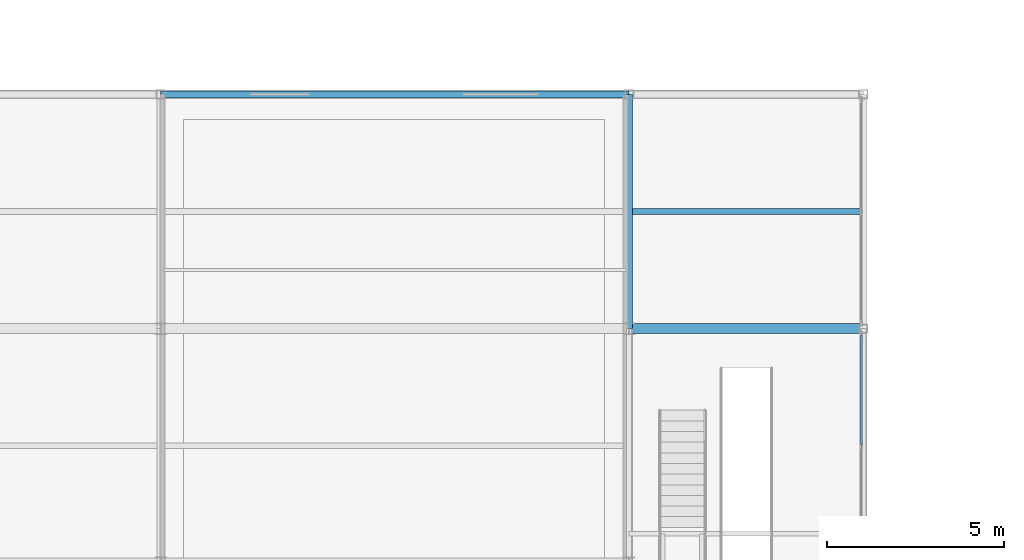
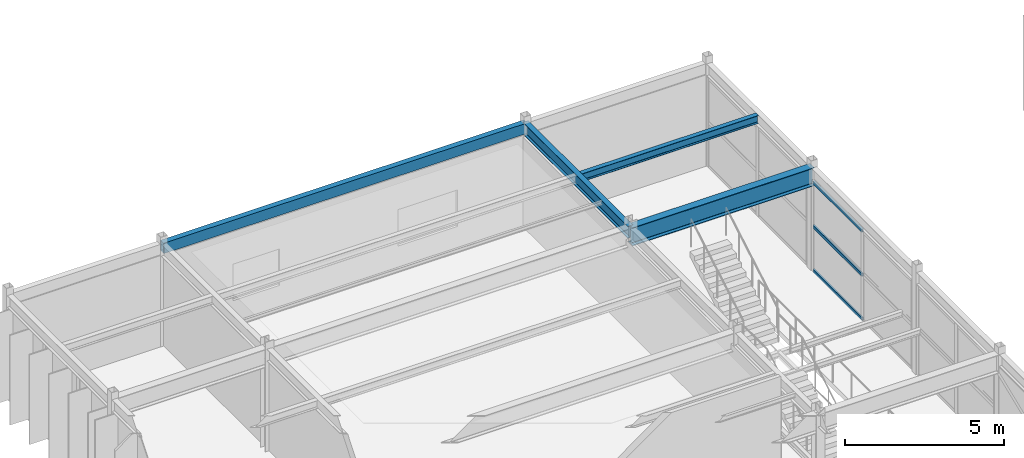
# One storey, part 70 of 148: 4 beams, 3 members, 1 element without a shape of its own.
"""IFC4 building model written with IfcOpenShell, lengths in metres."""

from ifc_helpers import new_model, si_unit, direction, frame, origin, origin_2d, place, context, subcontext, project, spatial, hollow_rectangle, i_section, extrude, material, material_profile, profile_set, type_object, element, aggregate, save


model = new_model("IFC4")

# Units and contexts
model_context = context("Model", 3, precision=1e-05, world=origin(), true_north=direction((0.0, 1.0)))
body_context = subcontext(model_context, "Body", "Model", "MODEL_VIEW")
ifc_project = project(units=[si_unit("LENGTHUNIT", "METRE"), si_unit("AREAUNIT", "SQUARE_METRE"), si_unit("VOLUMEUNIT", "CUBIC_METRE"), si_unit("PLANEANGLEUNIT", "RADIAN"), si_unit("MASSUNIT", "GRAM", prefix="KILO")], contexts=[model_context])

# Site, building, storey
site_placement = place(None, origin())
site = spatial("IfcSite", under=ifc_project, at=site_placement, CompositionType="ELEMENT")
building_placement = place(site_placement, origin())
building = spatial("IfcBuilding", under=site, at=building_placement, Name="Karori Crest Natural Sciences Institute", CompositionType="ELEMENT")
storey_placement = place(building_placement, frame((0.0, 0.0, 4.89990234375)))
storey = spatial("IfcBuildingStorey", under=building, at=storey_placement, Name="L01", CompositionType="ELEMENT", Elevation=4.89990234375)

# Beams
ifc_material_1 = material(Name="Structural steel AS/NZS 3679.1 Grade 350", Category="steel")
ifc_material_profile_1 = material_profile(ifc_material_1, i_section(OverallWidth=0.27490234375, OverallDepth=0.699951171875, WebThickness=0.010009765625, FlangeThickness=0.02001953125, FilletRadius=0.013916015625, at=origin_2d()), Name="700WB150")
ifc_profile_set_1 = profile_set([ifc_material_profile_1], Name="Structural steel AS/NZS 3679.1 Grade 350")
beam_type_1 = type_object("IfcBeamType", Name="BT-03", PredefinedType="BEAM", material=ifc_profile_set_1)
beam_1_placement = place(storey_placement, frame((20.60009765625, 66.800048828125, 3.570068359375), z_axis=(1.0, 0.0, 0.0), x_axis=(0.0, 1.0, 0.0)))
element("IfcBeam", 1, at=beam_1_placement, inside=storey, type_object=beam_type_1, Name="Beam B-1024", PredefinedType="BEAM", context=body_context, shape_type="SweptSolid", body=[
    extrude(i_section(OverallWidth=0.27490234375, OverallDepth=0.699951171875, WebThickness=0.010009765625, FlangeThickness=0.02001953125, FilletRadius=0.013916015625, at=origin_2d()), origin(), (0.0, 0.0, 1.0), 6.599853515625),
])
ifc_material_profile_2 = material_profile(ifc_material_1, i_section(OverallWidth=0.19091796875, OverallDepth=0.4599609375, WebThickness=0.010009765625, FlangeThickness=0.01611328125, FilletRadius=0.010986328125, at=origin_2d()), Name="460UB82.1")
ifc_profile_set_2 = profile_set([ifc_material_profile_2], Name="Structural steel AS/NZS 3679.1 Grade 350")
beam_type_2 = type_object("IfcBeamType", Name="BT-06", PredefinedType="BEAM", material=ifc_profile_set_2)
beam_2_placement = place(storey_placement, frame((20.60009765625, 66.800048828125, 3.690185546875), z_axis=(0.0, 1.0, 0.0), x_axis=(-1.0, 0.0, 0.0)))
element("IfcBeam", 2, at=beam_2_placement, inside=storey, type_object=beam_type_2, Name="Beam B-1048", PredefinedType="BEAM", context=body_context, shape_type="SweptSolid", body=[
    extrude(i_section(OverallWidth=0.19091796875, OverallDepth=0.4599609375, WebThickness=0.010009765625, FlangeThickness=0.01611328125, FilletRadius=0.010986328125, at=origin_2d()), origin(), (0.0, 0.0, 1.0), 6.599853515625),
])
ifc_material_profile_3 = material_profile(ifc_material_1, i_section(OverallWidth=0.166015625, OverallDepth=0.306884765625, WebThickness=0.006591796875, FlangeThickness=0.01171875, FilletRadius=0.010986328125, at=origin_2d()), Name="310UB46.2")
ifc_profile_set_3 = profile_set([ifc_material_profile_3], Name="Structural steel AS/NZS 3679.1 Grade 350")
beam_type_3 = type_object("IfcBeamType", Name="BT-09", PredefinedType="BEAM", material=ifc_profile_set_3)
beam_3_placement = place(storey_placement, frame((20.695556640625, 70.10009765625, 3.7666015625), z_axis=(1.0, 0.0, 0.0), x_axis=(0.0, 1.0, 0.0)))
element("IfcBeam", 3, at=beam_3_placement, inside=storey, type_object=beam_type_3, Name="Beam B-1075", PredefinedType="BEAM", context=body_context, shape_type="SweptSolid", body=[
    extrude(i_section(OverallWidth=0.166015625, OverallDepth=0.306884765625, WebThickness=0.006591796875, FlangeThickness=0.01171875, FilletRadius=0.010986328125, at=origin_2d()), origin(), (0.0, 0.0, 1.0), 6.408935546875),
])
ifc_material_2 = material(Name="Hollow structural steel AS/NZS 1163 Grade C350", Category="steel")
ifc_material_profile_4 = material_profile(ifc_material_2, hollow_rectangle(XDim=0.199951171875, YDim=0.39990234375, WallThickness=0.012451171875, at=origin_2d()), Name="RHS400x200x12.5")
ifc_profile_set_4 = profile_set([ifc_material_profile_4], Name="Hollow structural steel AS/NZS 1163 Grade C350")
beam_type_4 = type_object("IfcBeamType", Name="BT-14", PredefinedType="SPANDREL", material=ifc_profile_set_4)
beam_4_placement = place(storey_placement, frame((7.39990234375, 73.39990234375, 3.72021484375), z_axis=(1.0, 0.0, 0.0), x_axis=(0.0, 1.0, 0.0)))
element("IfcBeam", 4, at=beam_4_placement, inside=storey, type_object=beam_type_4, Name="Beam B-1026", PredefinedType="SPANDREL", context=body_context, shape_type="SweptSolid", body=[
    extrude(hollow_rectangle(XDim=0.199951171875, YDim=0.39990234375, WallThickness=0.012451171875, at=origin_2d()), origin(), (0.0, 0.0, 1.0), 13.2001953125),
])

# Curtain wall, members
ifc_material_3 = material(Name="Anodised architectural aluminium 6063-T6", Category="aluminium")
curtain_wall_type = type_object("IfcCurtainWallType", Name="CWT-18", PredefinedType="NOTDEFINED", material=ifc_material_3)
curtain_wall_placement = place(storey_placement, origin())
curtain_wall = element("IfcCurtainWall", 5, at=curtain_wall_placement, inside=storey, type_object=curtain_wall_type, Name="Curtain wall CW-0268", PredefinedType="NOTDEFINED")
ifc_material_profile_5 = material_profile(ifc_material_3, hollow_rectangle(XDim=0.06005859375, YDim=0.1201171875, WallThickness=0.00390625, at=origin_2d()), Name="CWT120x60x4")
ifc_profile_set_5 = profile_set([ifc_material_profile_5], Name="Anodised architectural aluminium 6063-T6")
member_type = type_object("IfcMemberType", Name="CWT-TR1", PredefinedType="USERDEFINED", material=ifc_profile_set_5)
member_1_placement = place(storey_placement, frame((27.139892578125, 66.612060546875, 0.030029296875), z_axis=(0.0, -1.0, 0.0), x_axis=(1.0, 0.0, 0.0)))
member_1 = element("IfcMember", 6, at=member_1_placement, type_object=member_type, Name="CW-0268 transom 1.1", ObjectType="TRANSOM", PredefinedType="USERDEFINED", context=body_context, shape_type="SweptSolid", body=[
    extrude(hollow_rectangle(XDim=0.06005859375, YDim=0.1201171875, WallThickness=0.00390625, at=origin_2d()), origin(), (0.0, 0.0, 1.0), 3.07958984375),
])
member_2_placement = place(storey_placement, frame((27.139892578125, 66.612060546875, 1.72265625), z_axis=(0.0, -1.0, 0.0), x_axis=(1.0, 0.0, 0.0)))
member_2 = element("IfcMember", 7, at=member_2_placement, type_object=member_type, Name="CW-0268 transom 1.2", ObjectType="TRANSOM", PredefinedType="USERDEFINED", context=body_context, shape_type="SweptSolid", body=[
    extrude(hollow_rectangle(XDim=0.06005859375, YDim=0.1201171875, WallThickness=0.00390625, at=origin_2d()), origin(), (0.0, 0.0, 1.0), 3.07958984375),
])
member_3_placement = place(storey_placement, frame((27.139892578125, 66.612060546875, 3.4150390625), z_axis=(0.0, -1.0, 0.0), x_axis=(1.0, 0.0, 0.0)))
member_3 = element("IfcMember", 8, at=member_3_placement, type_object=member_type, Name="CW-0268 transom 1.3", ObjectType="TRANSOM", PredefinedType="USERDEFINED", context=body_context, shape_type="SweptSolid", body=[
    extrude(hollow_rectangle(XDim=0.06005859375, YDim=0.1201171875, WallThickness=0.00390625, at=origin_2d()), origin(), (0.0, 0.0, 1.0), 3.07958984375),
])
aggregate(curtain_wall, [member_1, member_2, member_3])

save(model, "model.ifc")
